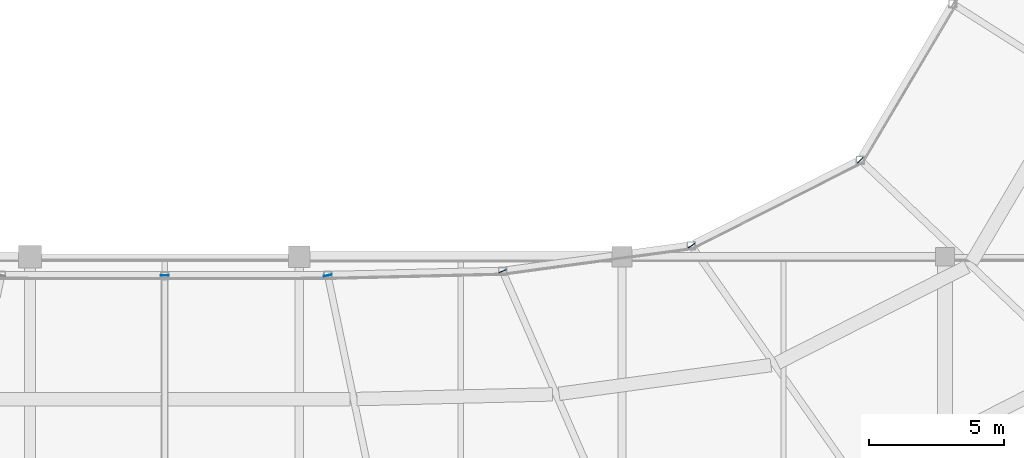
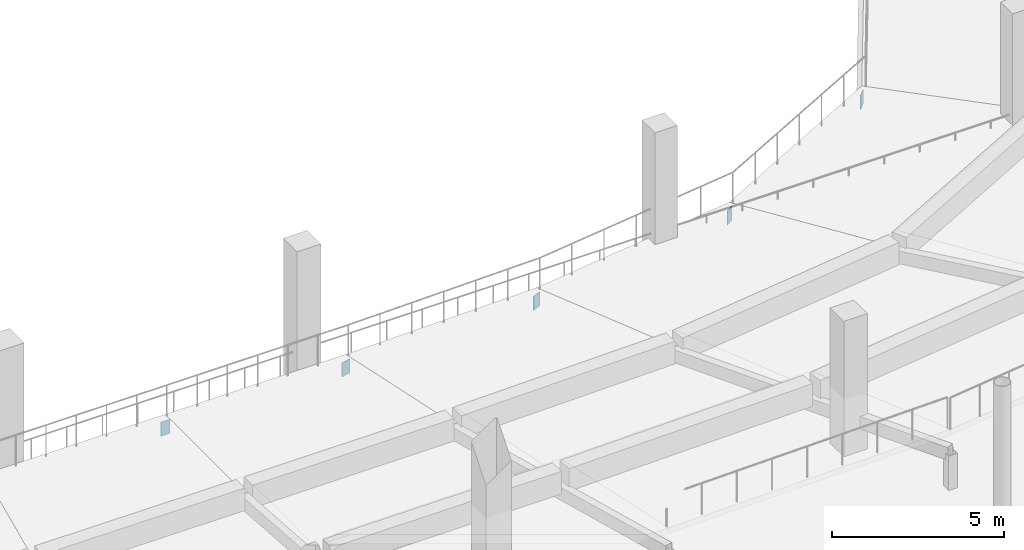
# One storey, part 41 of 77: 5 plates.
"""IFC4 building model written with IfcOpenShell, lengths in metres."""

from ifc_helpers import new_model, si_unit, direction, frame, origin, origin_2d, place, context, subcontext, project, spatial, rectangle, extrude, material, layer, layer_set, type_object, element, save


model = new_model("IFC4")

# Units and contexts
model_context = context("Model", 3, precision=1e-05, world=origin(), true_north=direction((0.0, 1.0)))
body_context = subcontext(model_context, "Body", "Model", "MODEL_VIEW")
ifc_project = project(units=[si_unit("LENGTHUNIT", "METRE"), si_unit("AREAUNIT", "SQUARE_METRE"), si_unit("VOLUMEUNIT", "CUBIC_METRE"), si_unit("PLANEANGLEUNIT", "RADIAN"), si_unit("MASSUNIT", "GRAM", prefix="KILO")], contexts=[model_context])

# Site, building, storey
site_placement = place(None, origin())
site = spatial("IfcSite", under=ifc_project, at=site_placement, CompositionType="ELEMENT")
building_placement = place(site_placement, origin())
building = spatial("IfcBuilding", under=site, at=building_placement, Name="Luwafu Chhajja Arena", CompositionType="ELEMENT")
storey_placement = place(building_placement, frame((0.0, 0.0, 14.699951171875)))
storey = spatial("IfcBuildingStorey", under=building, at=storey_placement, Name="L03", CompositionType="ELEMENT", Elevation=14.699951171875)

# Plates
ifc_material = material(Name="Steel S355", Category="steel")
ifc_layer = layer(ifc_material, 0.02392578125, Name="Steel S355")
ifc_layer_set = layer_set([ifc_layer], Name="Steel S355")
plate_type = type_object("IfcPlateType", Name="Raker Hollow End Closure Plate FN-2", PredefinedType="USERDEFINED", material=ifc_layer_set)
for number, where, z_axis, x_axis, name in (
    (1, (99.0, 21.300048828125, 0.10009765625), (0.0, 0.0, 1.0), (0.0, -1.0, 0.0), "Upper Raker End Cap Plate FN-2 25"),
    (2, (105.065185546875, 21.3076171875, 0.10009765625), (0.0, 0.0, 1.0), (0.204577818989, -0.978850303151, 0.0), "Upper Raker End Cap Plate FN-2 26"),
    (3, (111.560302734375, 21.463134765625, 0.10009765625), (0.0, 0.0, 1.0), (0.399065517637, -0.916922413639, 0.0), "Upper Raker End Cap Plate FN-2 27"),
    (4, (118.57666015625, 22.410888671875, 0.10009765625), (0.0, 0.0, 1.0), (0.574600858154, -0.818433780955, 0.0), "Upper Raker End Cap Plate FN-2 28"),
    (5, (124.85986328125, 25.590087890625, 0.10009765625), (0.0, 0.0, 1.0), (0.724375393874, -0.689405750448, 0.0), "Upper Raker End Cap Plate FN-2 29"),
):
    element("IfcPlate", number, at=place(storey_placement, frame(where, z_axis=z_axis, x_axis=x_axis)), inside=storey, type_object=plate_type, Name=name, ObjectType="GUSSET PLATE", PredefinedType="USERDEFINED", context=body_context, shape_type="SweptSolid", body=[
        extrude(rectangle(XDim=0.02392578125, YDim=0.300048828125, at=origin_2d()), origin(), (0.0, 0.0, 1.0), 0.5),
    ])

save(model, "model.ifc")
